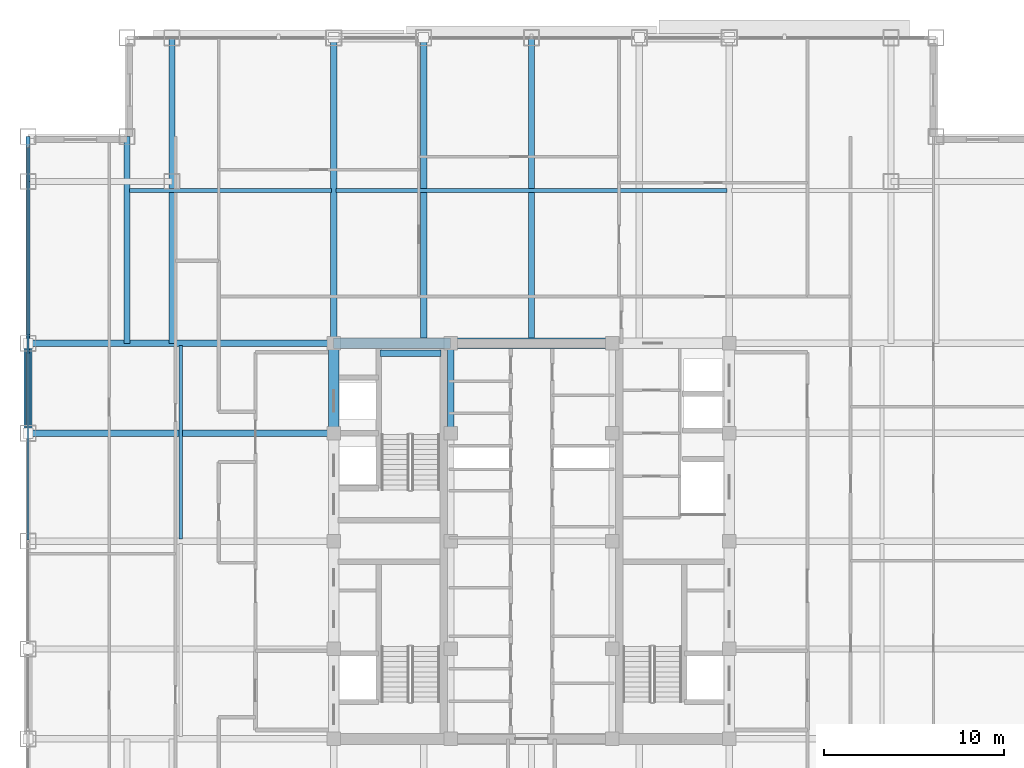
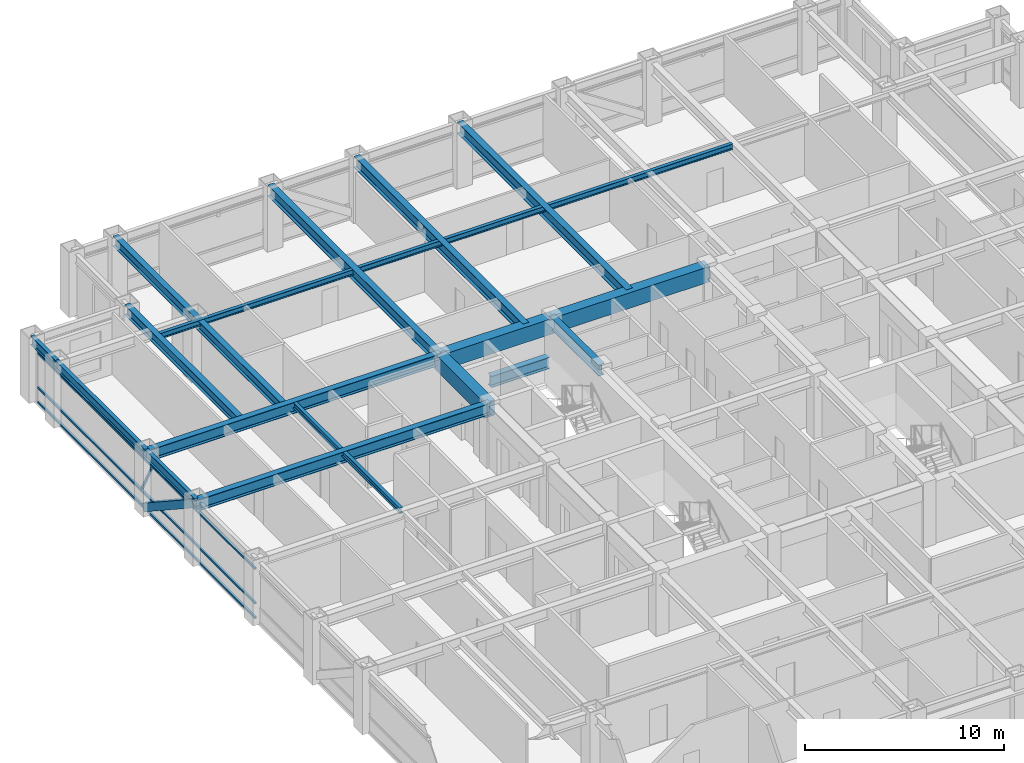
# One storey, part 11 of 27: 18 beams, 5 members, 1 element without a shape of its own.
"""IFC4 building model written with IfcOpenShell, lengths in metres."""

from ifc_helpers import new_model, si_unit, direction, frame, origin, origin_2d, place, context, subcontext, project, spatial, rectangle, hollow_rectangle, i_section, extrude, source, transform, mapped, material, material_profile, profile_set, type_object, element, aggregate, save


model = new_model("IFC4")

# Units and contexts
model_context = context("Model", 3, precision=1e-05, world=origin(), true_north=direction((0.0, 1.0)))
body_context = subcontext(model_context, "Body", "Model", "MODEL_VIEW")
ifc_project = project(units=[si_unit("LENGTHUNIT", "METRE"), si_unit("AREAUNIT", "SQUARE_METRE"), si_unit("VOLUMEUNIT", "CUBIC_METRE"), si_unit("PLANEANGLEUNIT", "RADIAN"), si_unit("MASSUNIT", "GRAM", prefix="KILO")], contexts=[model_context])

# Site, building, storey
site_placement = place(None, origin())
site = spatial("IfcSite", under=ifc_project, at=site_placement, CompositionType="ELEMENT")
building_placement = place(site_placement, origin())
building = spatial("IfcBuilding", under=site, at=building_placement, Name="Khorayat Bourse Tower", CompositionType="ELEMENT")
storey_placement = place(building_placement, frame((0.0, 0.0, 281.5)))
storey = spatial("IfcBuildingStorey", under=building, at=storey_placement, Name="L66", CompositionType="ELEMENT", Elevation=281.5)

# Beams
ifc_material_1 = material(Name="Steel ASTM A992 Grade 50", Category="steel")
ifc_material_profile_1 = material_profile(ifc_material_1, i_section(OverallWidth=0.35498046875, OverallDepth=0.695068359375, WebThickness=0.015380859375, FlangeThickness=0.02490234375, FilletRadius=0.01806640625, at=origin_2d()), Name="W690X217")
ifc_profile_set_1 = profile_set([ifc_material_profile_1], Name="Steel ASTM A992 Grade 50")
beam_type_1 = type_object("IfcBeamType", Name="BM-GIRD-690", PredefinedType="BEAM", material=ifc_profile_set_1)
shared_shape_1 = source(origin(), body_context, "Body", "SweptSolid", [
    extrude(i_section(OverallWidth=0.35498046875, OverallDepth=0.695068359375, WebThickness=0.015380859375, FlangeThickness=0.02490234375, FilletRadius=0.01806640625, at=origin_2d()), origin(), (0.0, 0.0, 1.0), 5.0),
])
beam_1_placement = place(storey_placement, frame((-4.5, 6.0, 3.4326171875), z_axis=(0.0, 1.0, 0.0), x_axis=(-1.0, 0.0, 0.0)))
element("IfcBeam", 1, at=beam_1_placement, inside=storey, type_object=beam_type_1, Name="L66 BM-GIRD-690 BM-L66-CRX-08", PredefinedType="BEAM", context=body_context, shape_type="MappedRepresentation", body=[
    mapped(shared_shape_1, transform((0.0, 0.0, 0.0), scale=1.0)),
])
shared_shape_2 = source(origin(), body_context, "Body", "SweptSolid", [
    extrude(i_section(OverallWidth=0.35498046875, OverallDepth=0.695068359375, WebThickness=0.015380859375, FlangeThickness=0.02490234375, FilletRadius=0.01806640625, at=origin_2d()), origin(), (0.0, 0.0, 1.0), 3.39990234375),
])
beam_2_placement = place(storey_placement, frame((-8.419921875, 10.449951171875, 1.452392578125), z_axis=(1.0, 0.0, 0.0), x_axis=(0.0, 1.0, 0.0)))
element("IfcBeam", 2, at=beam_2_placement, inside=storey, type_object=beam_type_1, Name="L66 BM-GIRD-690 BM-L66-ST2L", PredefinedType="BEAM", context=body_context, shape_type="MappedRepresentation", body=[
    mapped(shared_shape_2, transform((0.0, 0.0, 0.0), scale=1.0)),
])
ifc_material_profile_2 = material_profile(ifc_material_1, i_section(OverallWidth=0.324951171875, OverallDepth=0.615966796875, WebThickness=0.013916015625, FlangeThickness=0.021484375, FilletRadius=0.01611328125, at=origin_2d()), Name="W610X174")
ifc_profile_set_2 = profile_set([ifc_material_profile_2], Name="Steel ASTM A992 Grade 50")
beam_type_2 = type_object("IfcBeamType", Name="BM-GIRD-610", PredefinedType="BEAM", material=ifc_profile_set_2)
shared_shape_3 = source(origin(), body_context, "Body", "SweptSolid", [
    extrude(i_section(OverallWidth=0.324951171875, OverallDepth=0.615966796875, WebThickness=0.013916015625, FlangeThickness=0.021484375, FilletRadius=0.01611328125, at=origin_2d()), origin(), (0.0, 0.0, 1.0), 17.0),
])
beam_3_placement = place(storey_placement, frame((-20.0, 11.0, 3.471923828125), z_axis=(0.0, 1.0, 0.0), x_axis=(-1.0, 0.0, 0.0)))
element("IfcBeam", 3, at=beam_3_placement, inside=storey, type_object=beam_type_2, Name="L66 BM-GIRD-610 BM-L66-CNRY-085", PredefinedType="BEAM", context=body_context, shape_type="MappedRepresentation", body=[
    mapped(shared_shape_3, transform((0.0, 0.0, 0.0), scale=1.0)),
])
ifc_material_2 = material(Name="Concrete C60/75", Category="concrete")
ifc_material_profile_3 = material_profile(ifc_material_2, rectangle(XDim=0.60009765625, YDim=0.949951171875, at=origin_2d()), Name="RC 600x950")
ifc_profile_set_3 = profile_set([ifc_material_profile_3], Name="Concrete C60/75")
beam_type_3 = type_object("IfcBeamType", Name="BM-COUP-950", PredefinedType="BEAM", material=ifc_profile_set_3)
shared_shape_4 = source(origin(), body_context, "Body", "SweptSolid", [
    extrude(rectangle(XDim=0.60009765625, YDim=0.949951171875, at=origin_2d()), origin(), (0.0, 0.0, 1.0), 5.0),
])
beam_4_placement = place(storey_placement, frame((-11.0, 6.0, 3.304931640625), z_axis=(0.0, 1.0, 0.0), x_axis=(-1.0, 0.0, 0.0)))
element("IfcBeam", 4, at=beam_4_placement, inside=storey, type_object=beam_type_3, Name="L66 BM-COUP-950 BM-L66-CRX-04", PredefinedType="BEAM", context=body_context, shape_type="MappedRepresentation", body=[
    mapped(shared_shape_4, transform((0.0, 0.0, 0.0), scale=1.0)),
])
shared_shape_5 = source(origin(), body_context, "Body", "SweptSolid", [
    extrude(rectangle(XDim=0.60009765625, YDim=0.949951171875, at=origin_2d()), origin(), (0.0, 0.0, 1.0), 6.5),
])
beam_5_placement = place(storey_placement, frame((-11.0, 11.0, 3.304931640625), z_axis=(1.0, 0.0, 0.0), x_axis=(0.0, 1.0, 0.0)))
element("IfcBeam", 5, at=beam_5_placement, inside=storey, type_object=beam_type_3, Name="L66 BM-COUP-950 BM-L66-CRY-20", PredefinedType="BEAM", context=body_context, shape_type="MappedRepresentation", body=[
    mapped(shared_shape_5, transform((0.0, 0.0, 0.0), scale=1.0)),
])
shared_shape_6 = source(origin(), body_context, "Body", "SweptSolid", [
    extrude(rectangle(XDim=0.60009765625, YDim=0.949951171875, at=origin_2d()), origin(), (0.0, 0.0, 1.0), 9.0),
])
beam_6_placement = place(storey_placement, frame((-4.5, 11.0, 3.304931640625), z_axis=(1.0, 0.0, 0.0), x_axis=(0.0, 1.0, 0.0)))
element("IfcBeam", 6, at=beam_6_placement, inside=storey, type_object=beam_type_3, Name="L66 BM-COUP-950 BM-L66-CRY-21", PredefinedType="BEAM", context=body_context, shape_type="MappedRepresentation", body=[
    mapped(shared_shape_6, transform((0.0, 0.0, 0.0), scale=1.0)),
])

# Member
ifc_material_3 = material(Name="Steel EN 10025-4 S460M", Category="steel")
ifc_material_profile_4 = material_profile(ifc_material_3, hollow_rectangle(XDim=0.449951171875, YDim=0.449951171875, WallThickness=0.02490234375, at=origin_2d()), Name="HSS 450x450x25")
ifc_profile_set_4 = profile_set([ifc_material_profile_4], Name="Steel EN 10025-4 S460M")
member_type_1 = type_object("IfcMemberType", Name="MBR-TUBE-450", PredefinedType="BRACE", material=ifc_profile_set_4)
shared_shape_7 = source(origin(), body_context, "Body", "SweptSolid", [
    extrude(hollow_rectangle(XDim=0.449951171875, YDim=0.449951171875, WallThickness=0.02490234375, at=origin_2d()), origin(), (0.0, 0.0, 1.0), 5.979736328125),
])
member_1_placement = place(storey_placement, frame((-28.0, 6.0, 3.530029296875), z_axis=(0.0, 0.836141536525, -0.548513747227), x_axis=(-1.0, 0.0, 0.0)))
element("IfcMember", 7, at=member_1_placement, inside=storey, type_object=member_type_1, Name="L66 Perimeter Tube Brace 06", PredefinedType="BRACE", context=body_context, shape_type="MappedRepresentation", body=[
    mapped(shared_shape_7, transform((0.0, 0.0, 0.0), scale=1.0)),
])

# Beams
shared_shape_8 = source(origin(), body_context, "Body", "SweptSolid", [
    extrude(i_section(OverallWidth=0.35498046875, OverallDepth=0.695068359375, WebThickness=0.015380859375, FlangeThickness=0.02490234375, FilletRadius=0.01806640625, at=origin_2d()), origin(), (0.0, 0.0, 1.0), 17.0),
])
for number, where, z_axis, x_axis, name in (
    (8, (-11.0, 11.0, 3.4326171875), (0.0, 1.0, 0.0), (-1.0, 0.0, 0.0), "L66 BM-GIRD-690 BM-L66-RADY-064"),
    (9, (-6.0, 11.0, 3.4326171875), (0.0, 1.0, 0.0), (-1.0, 0.0, 0.0), "L66 BM-GIRD-690 BM-L66-RADY-066"),
    (10, (0.0, 11.0, 3.4326171875), (0.0, 1.0, 0.0), (-1.0, 0.0, 0.0), "L66 BM-GIRD-690 BM-L66-RADY-068"),
    (11, (-28.0, 6.0, 3.4326171875), (1.0, 0.0, 0.0), (0.0, 1.0, 0.0), "L66 BM-GIRD-690 BM-L66-RADX-081"),
    (12, (-28.0, 11.0, 3.4326171875), (1.0, 0.0, 0.0), (0.0, 1.0, 0.0), "L66 BM-GIRD-690 BM-L66-RADX-083"),
):
    element("IfcBeam", number, at=place(storey_placement, frame(where, z_axis=z_axis, x_axis=x_axis)), inside=storey, type_object=beam_type_1, Name=name, PredefinedType="BEAM", context=body_context, shape_type="MappedRepresentation", body=[
        mapped(shared_shape_8, transform((0.0, 0.0, 0.0), scale=1.0)),
    ])
shared_shape_9 = source(origin(), body_context, "Body", "SweptSolid", [
    extrude(i_section(OverallWidth=0.324951171875, OverallDepth=0.615966796875, WebThickness=0.013916015625, FlangeThickness=0.021484375, FilletRadius=0.01611328125, at=origin_2d()), origin(), (0.0, 0.0, 1.0), 11.5),
])
beam_7_placement = place(storey_placement, frame((-22.5, 11.0, 3.471923828125), z_axis=(0.0, 1.0, 0.0), x_axis=(-1.0, 0.0, 0.0)))
element("IfcBeam", 13, at=beam_7_placement, inside=storey, type_object=beam_type_2, Name="L66 BM-GIRD-610 BM-L66-CNRY-089", PredefinedType="BEAM", context=body_context, shape_type="MappedRepresentation", body=[
    mapped(shared_shape_9, transform((0.0, 0.0, 0.0), scale=1.0)),
])
ifc_material_profile_5 = material_profile(ifc_material_1, i_section(OverallWidth=0.202880859375, OverallDepth=0.346923828125, WebThickness=0.0078125, FlangeThickness=0.013427734375, FilletRadius=0.010009765625, at=origin_2d()), Name="W360X64")
ifc_profile_set_5 = profile_set([ifc_material_profile_5], Name="Steel ASTM A992 Grade 50")
beam_type_4 = type_object("IfcBeamType", Name="BM-JOIST-360", PredefinedType="JOIST", material=ifc_profile_set_5)
shared_shape_10 = source(origin(), body_context, "Body", "SweptSolid", [
    extrude(i_section(OverallWidth=0.202880859375, OverallDepth=0.346923828125, WebThickness=0.0078125, FlangeThickness=0.013427734375, FilletRadius=0.010009765625, at=origin_2d()), origin(), (0.0, 0.0, 1.0), 11.240234375),
])
beam_8_placement = place(storey_placement, frame((-22.3701171875, 19.5, 3.6064453125), z_axis=(1.0, 0.0, 0.0), x_axis=(0.0, 1.0, 0.0)))
element("IfcBeam", 14, at=beam_8_placement, inside=storey, type_object=beam_type_4, Name="L66 BM-JOIST-360 BM-L66-JSTX-099", PredefinedType="JOIST", context=body_context, shape_type="MappedRepresentation", body=[
    mapped(shared_shape_10, transform((0.0, 0.0, 0.0), scale=1.0)),
])
shared_shape_11 = source(origin(), body_context, "Body", "SweptSolid", [
    extrude(i_section(OverallWidth=0.202880859375, OverallDepth=0.346923828125, WebThickness=0.0078125, FlangeThickness=0.013427734375, FilletRadius=0.010009765625, at=origin_2d()), origin(), (0.0, 0.0, 1.0), 21.740234375),
])
beam_9_placement = place(storey_placement, frame((-10.8701171875, 19.5, 3.6064453125), z_axis=(1.0, 0.0, 0.0), x_axis=(0.0, 1.0, 0.0)))
element("IfcBeam", 15, at=beam_9_placement, inside=storey, type_object=beam_type_4, Name="L66 BM-JOIST-360 BM-L66-JSTX-100", PredefinedType="JOIST", context=body_context, shape_type="MappedRepresentation", body=[
    mapped(shared_shape_11, transform((0.0, 0.0, 0.0), scale=1.0)),
])
shared_shape_12 = source(origin(), body_context, "Body", "SweptSolid", [
    extrude(i_section(OverallWidth=0.202880859375, OverallDepth=0.346923828125, WebThickness=0.0078125, FlangeThickness=0.013427734375, FilletRadius=0.010009765625, at=origin_2d()), origin(), (0.0, 0.0, 1.0), 10.740234375),
])
beam_10_placement = place(storey_placement, frame((-19.5, 0.1298828125, 3.6064453125), z_axis=(0.0, 1.0, 0.0), x_axis=(-1.0, 0.0, 0.0)))
element("IfcBeam", 16, at=beam_10_placement, inside=storey, type_object=beam_type_4, Name="L66 BM-JOIST-360 BM-L66-JSTY-103", PredefinedType="JOIST", context=body_context, shape_type="MappedRepresentation", body=[
    mapped(shared_shape_12, transform((0.0, 0.0, 0.0), scale=1.0)),
])
ifc_material_profile_6 = material_profile(ifc_material_1, i_section(OverallWidth=0.214111328125, OverallDepth=0.549072265625, WebThickness=0.0146484375, FlangeThickness=0.023681640625, FilletRadius=0.013916015625, at=origin_2d()), Name="W530X138")
ifc_profile_set_6 = profile_set([ifc_material_profile_6], Name="Steel ASTM A992 Grade 50")
beam_type_5 = type_object("IfcBeamType", Name="BM-SPAN-530", PredefinedType="SPANDREL", material=ifc_profile_set_6)
shared_shape_13 = source(origin(), body_context, "Body", "SweptSolid", [
    extrude(i_section(OverallWidth=0.214111328125, OverallDepth=0.549072265625, WebThickness=0.0146484375, FlangeThickness=0.023681640625, FilletRadius=0.013916015625, at=origin_2d()), origin(), (0.0, 0.0, 1.0), 2.5),
])
beam_11_placement = place(storey_placement, frame((-28.0, 20.0, 3.505615234375), z_axis=(0.0, 1.0, 0.0), x_axis=(-1.0, 0.0, 0.0)))
element("IfcBeam", 17, at=beam_11_placement, inside=storey, type_object=beam_type_5, Name="L66 BM-SPAN-530 BM-L66-SPN-054", PredefinedType="SPANDREL", context=body_context, shape_type="MappedRepresentation", body=[
    mapped(shared_shape_13, transform((0.0, 0.0, 0.0), scale=1.0)),
])
shared_shape_14 = source(origin(), body_context, "Body", "SweptSolid", [
    extrude(i_section(OverallWidth=0.214111328125, OverallDepth=0.549072265625, WebThickness=0.0146484375, FlangeThickness=0.023681640625, FilletRadius=0.013916015625, at=origin_2d()), origin(), (0.0, 0.0, 1.0), 9.0),
])
beam_12_placement = place(storey_placement, frame((-28.0, 11.0, 3.505615234375), z_axis=(0.0, 1.0, 0.0), x_axis=(-1.0, 0.0, 0.0)))
element("IfcBeam", 18, at=beam_12_placement, inside=storey, type_object=beam_type_5, Name="L66 BM-SPAN-530 BM-L66-SPN-055", PredefinedType="SPANDREL", context=body_context, shape_type="MappedRepresentation", body=[
    mapped(shared_shape_14, transform((0.0, 0.0, 0.0), scale=1.0)),
])
shared_shape_15 = source(origin(), body_context, "Body", "SweptSolid", [
    extrude(i_section(OverallWidth=0.214111328125, OverallDepth=0.549072265625, WebThickness=0.0146484375, FlangeThickness=0.023681640625, FilletRadius=0.013916015625, at=origin_2d()), origin(), (0.0, 0.0, 1.0), 5.0),
])
beam_13_placement = place(storey_placement, frame((-28.0, 6.0, 3.505615234375), z_axis=(0.0, 1.0, 0.0), x_axis=(-1.0, 0.0, 0.0)))
element("IfcBeam", 19, at=beam_13_placement, inside=storey, type_object=beam_type_5, Name="L66 BM-SPAN-530 BM-L66-SPN-056", PredefinedType="SPANDREL", context=body_context, shape_type="MappedRepresentation", body=[
    mapped(shared_shape_15, transform((0.0, 0.0, 0.0), scale=1.0)),
])

# Curtain wall, members
ifc_material_4 = material(Name="Aluminium EN AW-6063 T6", Category="aluminium")
curtain_wall_type = type_object("IfcCurtainWallType", Name="CW-SYS-04", PredefinedType="NOTDEFINED", material=ifc_material_4)
curtain_wall_placement = place(storey_placement, origin())
curtain_wall = element("IfcCurtainWall", 20, at=curtain_wall_placement, inside=storey, type_object=curtain_wall_type, Name="L66 Curtain Wall CW-L66-W1", PredefinedType="NOTDEFINED")
ifc_material_profile_7 = material_profile(ifc_material_4, hollow_rectangle(XDim=0.1201171875, YDim=0.1201171875, WallThickness=0.0048828125, at=origin_2d()), Name="ALU 120x120x5")
ifc_profile_set_7 = profile_set([ifc_material_profile_7], Name="Aluminium EN AW-6063 T6")
member_type_2 = type_object("IfcMemberType", Name="CWM-DIAG-120", PredefinedType="MULLION", material=ifc_profile_set_7)
shared_shape_16 = source(origin(), body_context, "Body", "SweptSolid", [
    extrude(hollow_rectangle(XDim=0.1201171875, YDim=0.1201171875, WallThickness=0.0048828125, at=origin_2d()), origin(), (0.0, 0.0, 1.0), 2.0791015625),
])
member_2_placement = place(storey_placement, frame((-28.0, 11.4541015625, 1.090087890625), z_axis=(0.0, -0.465717394116, 0.884933505309), x_axis=(1.0, 0.0, 0.0)))
member_2 = element("IfcMember", 21, at=member_2_placement, type_object=member_type_2, Name="CW-L66-W1 Faceted Diagonal Mullion 2", PredefinedType="MULLION", context=body_context, shape_type="MappedRepresentation", body=[
    mapped(shared_shape_16, transform((0.0, 0.0, 0.0), scale=1.0)),
])
ifc_material_profile_8 = material_profile(ifc_material_4, hollow_rectangle(XDim=0.1201171875, YDim=0.1201171875, WallThickness=0.0048828125, at=origin_2d()), Name="ALU 120x120x5")
ifc_profile_set_8 = profile_set([ifc_material_profile_8], Name="Aluminium EN AW-6063 T6")
member_type_3 = type_object("IfcMemberType", Name="CWT-HORZ-120", PredefinedType="USERDEFINED", material=ifc_profile_set_8)
shared_shape_17 = source(origin(), body_context, "Body", "SweptSolid", [
    extrude(hollow_rectangle(XDim=0.1201171875, YDim=0.1201171875, WallThickness=0.0048828125, at=origin_2d()), origin(), (0.0, 0.0, 1.0), 21.81982421875),
])
member_3_placement = place(storey_placement, frame((-28.0, 0.06005859375, 0.06005859375), z_axis=(0.0, 1.0, 0.0), x_axis=(-1.0, 0.0, 0.0)))
member_3 = element("IfcMember", 22, at=member_3_placement, type_object=member_type_3, Name="CW-L66-W1 Horizontal Transom 2-1", ObjectType="TRANSOM", PredefinedType="USERDEFINED", context=body_context, shape_type="MappedRepresentation", body=[
    mapped(shared_shape_17, transform((0.0, 0.0, 0.0), scale=1.0)),
])
member_4_placement = place(storey_placement, frame((-28.0, 0.06005859375, 0.949951171875), z_axis=(0.0, 1.0, 0.0), x_axis=(-1.0, 0.0, 0.0)))
member_4 = element("IfcMember", 23, at=member_4_placement, type_object=member_type_3, Name="CW-L66-W1 Horizontal Transom 2-2", ObjectType="TRANSOM", PredefinedType="USERDEFINED", context=body_context, shape_type="MappedRepresentation", body=[
    mapped(shared_shape_17, transform((0.0, 0.0, 0.0), scale=1.0)),
])
member_5_placement = place(storey_placement, frame((-28.0, 0.06005859375, 3.070068359375), z_axis=(0.0, 1.0, 0.0), x_axis=(-1.0, 0.0, 0.0)))
member_5 = element("IfcMember", 24, at=member_5_placement, type_object=member_type_3, Name="CW-L66-W1 Horizontal Transom 2-3", ObjectType="TRANSOM", PredefinedType="USERDEFINED", context=body_context, shape_type="MappedRepresentation", body=[
    mapped(shared_shape_17, transform((0.0, 0.0, 0.0), scale=1.0)),
])
aggregate(curtain_wall, [member_3, member_4, member_5, member_2])

save(model, "model.ifc")
